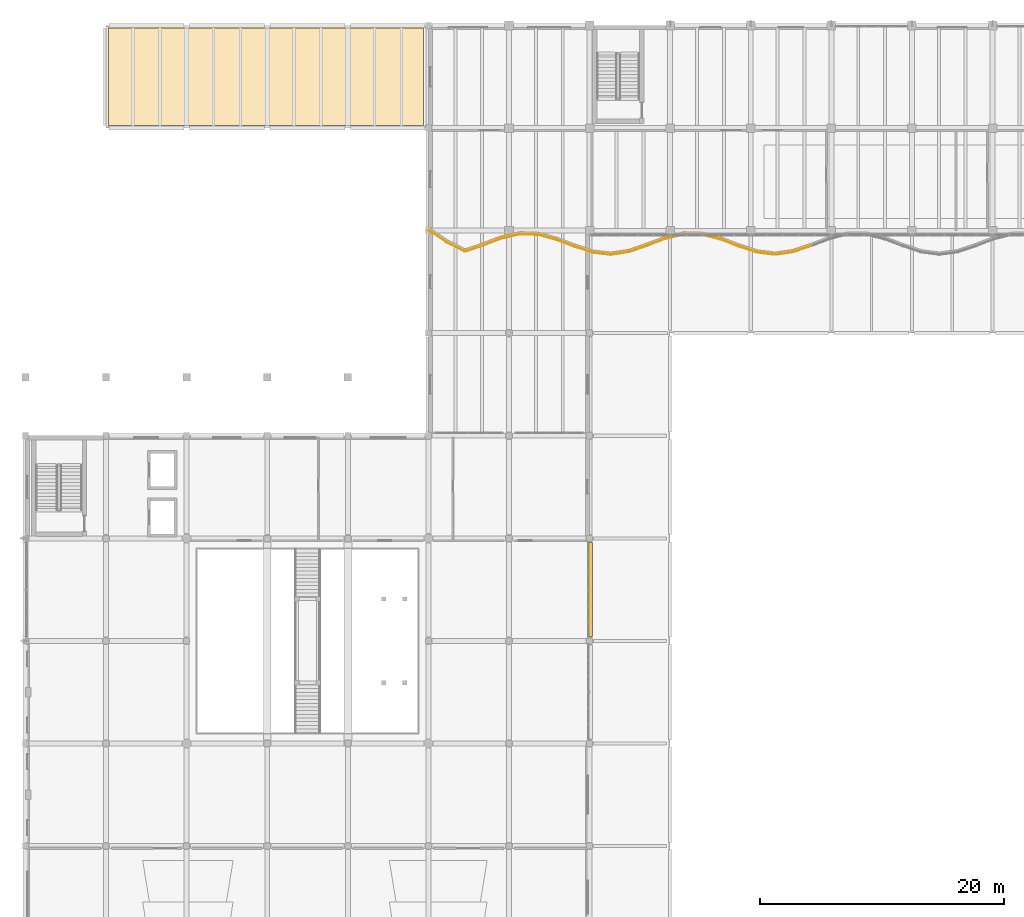
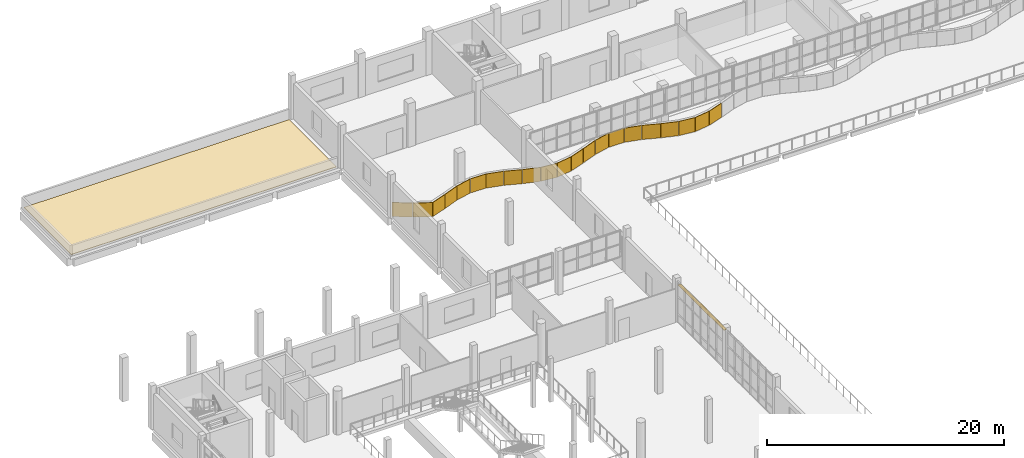
# One storey, part 74 of 83: 22 coverings, 1 shading device.
"""IFC4 building model written with IfcOpenShell, lengths in metres."""

from ifc_helpers import new_model, si_unit, direction, frame, origin, origin_2d, place, context, subcontext, project, spatial, polyline, rectangle, outline, extrude, material, layer, layer_set, type_object, element, save


model = new_model("IFC4")

# Units and contexts
model_context = context("Model", 3, precision=1e-05, world=origin(), true_north=direction((0.0, 1.0)))
body_context = subcontext(model_context, "Body", "Model", "MODEL_VIEW")
ifc_project = project(units=[si_unit("LENGTHUNIT", "METRE"), si_unit("AREAUNIT", "SQUARE_METRE"), si_unit("VOLUMEUNIT", "CUBIC_METRE"), si_unit("PLANEANGLEUNIT", "RADIAN"), si_unit("MASSUNIT", "GRAM", prefix="KILO")], contexts=[model_context])

# Site, building, storey
site_placement = place(None, origin())
site = spatial("IfcSite", under=ifc_project, at=site_placement, CompositionType="ELEMENT")
building_placement = place(site_placement, origin())
building = spatial("IfcBuilding", under=site, at=building_placement, Name="Qaldarim Faculty of Natural and Applied Sciences", CompositionType="ELEMENT")
storey_placement = place(building_placement, frame((0.0, 0.0, 5.39990234375)))
storey = spatial("IfcBuildingStorey", under=building, at=storey_placement, Name="L01", CompositionType="ELEMENT", Elevation=5.39990234375)

# Coverings
ifc_material_1 = material(Name="White architectural precast concrete C40/50", Category="concrete")
ifc_layer_1 = layer(ifc_material_1, 0.06005859375)
ifc_layer_set_1 = layer_set([ifc_layer_1], Name="White architectural precast concrete C40/50")
covering_type_1 = type_object("IfcCoveringType", Name="LimestoneSpandrelCladding-60", PredefinedType="CLADDING", material=ifc_layer_set_1)
covering_1_placement = place(storey_placement, frame((33.764892578125, 100.324951171875, 0.0), z_axis=(0.0, 0.0, 1.0), x_axis=(0.832476681109, -0.554060082852, 0.0)))
element("IfcCovering", 1, at=covering_1_placement, inside=storey, type_object=covering_type_1, Name="White limestone wave band fascia L01 chord 01", PredefinedType="CLADDING", context=body_context, shape_type="SweptSolid", body=[
    extrude(rectangle(XDim=1.7548828125, YDim=0.06005859375, at=origin_2d()), origin(), (0.0, 0.0, 1.0), 1.449951171875),
])
covering_2_placement = place(storey_placement, frame((35.260009765625, 99.449951171875, 0.0), z_axis=(0.0, 0.0, 1.0), x_axis=(0.891426095261, -0.453166102756, 0.0)))
element("IfcCovering", 2, at=covering_2_placement, inside=storey, type_object=covering_type_1, Name="White limestone wave band fascia L01 chord 02", PredefinedType="CLADDING", context=body_context, shape_type="SweptSolid", body=[
    extrude(rectangle(XDim=1.635009765625, YDim=0.06005859375, at=origin_2d()), origin(), (0.0, 0.0, 1.0), 1.449951171875),
])
covering_3_placement = place(storey_placement, frame((36.72998046875, 99.330078125, 0.0), z_axis=(0.0, 0.0, 1.0), x_axis=(0.945473108493, 0.325700170581, 0.0)))
element("IfcCovering", 3, at=covering_3_placement, inside=storey, type_object=covering_type_1, Name="White limestone wave band fascia L01 chord 03", PredefinedType="CLADDING", context=body_context, shape_type="SweptSolid", body=[
    extrude(rectangle(XDim=1.5400390625, YDim=0.06005859375, at=origin_2d()), origin(), (0.0, 0.0, 1.0), 1.449951171875),
])
covering_4_placement = place(storey_placement, frame((38.219970703125, 99.8701171875, 0.0), z_axis=(0.0, 0.0, 1.0), x_axis=(0.935036236503, 0.354552163194, 0.0)))
element("IfcCovering", 4, at=covering_4_placement, inside=storey, type_object=covering_type_1, Name="White limestone wave band fascia L01 chord 04", PredefinedType="CLADDING", context=body_context, shape_type="SweptSolid", body=[
    extrude(rectangle(XDim=1.554931640625, YDim=0.06005859375, at=origin_2d()), origin(), (0.0, 0.0, 1.0), 1.449951171875),
])
covering_5_placement = place(storey_placement, frame((39.715087890625, 100.324951171875, 0.0), z_axis=(0.0, 0.0, 1.0), x_axis=(0.975099061446, 0.221769746285, 0.0)))
element("IfcCovering", 5, at=covering_5_placement, inside=storey, type_object=covering_type_1, Name="White limestone wave band fascia L01 chord 05", PredefinedType="CLADDING", context=body_context, shape_type="SweptSolid", body=[
    extrude(rectangle(XDim=1.4951171875, YDim=0.06005859375, at=origin_2d()), origin(), (0.0, 0.0, 1.0), 1.449951171875),
])
covering_6_placement = place(storey_placement, frame((41.219970703125, 100.47998046875, 0.0), z_axis=(0.0, 0.0, 1.0), x_axis=(0.999726118644, -0.023402728511, 0.0)))
element("IfcCovering", 6, at=covering_6_placement, inside=storey, type_object=covering_type_1, Name="White limestone wave band fascia L01 chord 06", PredefinedType="CLADDING", context=body_context, shape_type="SweptSolid", body=[
    extrude(rectangle(XDim=1.455078125, YDim=0.06005859375, at=origin_2d()), origin(), (0.0, 0.0, 1.0), 1.449951171875),
])
covering_7_placement = place(storey_placement, frame((42.719970703125, 100.260009765625, 0.0), z_axis=(0.0, 0.0, 1.0), x_axis=(0.966020623542, -0.25846499742, 0.0)))
element("IfcCovering", 7, at=covering_7_placement, inside=storey, type_object=covering_type_1, Name="White limestone wave band fascia L01 chord 07", PredefinedType="CLADDING", context=body_context, shape_type="SweptSolid", body=[
    extrude(rectangle(XDim=1.510009765625, YDim=0.06005859375, at=origin_2d()), origin(), (0.0, 0.0, 1.0), 1.449951171875),
])
covering_8_placement = place(storey_placement, frame((44.219970703125, 99.77001953125, 0.0), z_axis=(0.0, 0.0, 1.0), x_axis=(0.933342542564, -0.358987044669, 0.0)))
element("IfcCovering", 8, at=covering_8_placement, inside=storey, type_object=covering_type_1, Name="White limestone wave band fascia L01 chord 08", PredefinedType="CLADDING", context=body_context, shape_type="SweptSolid", body=[
    extrude(rectangle(XDim=1.56005859375, YDim=0.06005859375, at=origin_2d()), origin(), (0.0, 0.0, 1.0), 1.449951171875),
])
covering_9_placement = place(storey_placement, frame((45.715087890625, 99.2451171875, 0.0), z_axis=(0.0, 0.0, 1.0), x_axis=(0.951196645833, -0.308585386816, 0.0)))
element("IfcCovering", 9, at=covering_9_placement, inside=storey, type_object=covering_type_1, Name="White limestone wave band fascia L01 chord 09", PredefinedType="CLADDING", context=body_context, shape_type="SweptSolid", body=[
    extrude(rectangle(XDim=1.530029296875, YDim=0.06005859375, at=origin_2d()), origin(), (0.0, 0.0, 1.0), 1.449951171875),
])
covering_10_placement = place(storey_placement, frame((47.199951171875, 98.9150390625, 0.0), z_axis=(0.0, 0.0, 1.0), x_axis=(0.993597515096, -0.112977776553, 0.0)))
element("IfcCovering", 10, at=covering_10_placement, inside=storey, type_object=covering_type_1, Name="White limestone wave band fascia L01 chord 10", PredefinedType="CLADDING", context=body_context, shape_type="SweptSolid", body=[
    extrude(rectangle(XDim=1.465087890625, YDim=0.06005859375, at=origin_2d()), origin(), (0.0, 0.0, 1.0), 1.449951171875),
])
covering_11_placement = place(storey_placement, frame((48.68994140625, 98.945068359375, 0.0), z_axis=(0.0, 0.0, 1.0), x_axis=(0.988863133133, 0.14882776599, 0.0)))
element("IfcCovering", 11, at=covering_11_placement, inside=storey, type_object=covering_type_1, Name="White limestone wave band fascia L01 chord 11", PredefinedType="CLADDING", context=body_context, shape_type="SweptSolid", body=[
    extrude(rectangle(XDim=1.469970703125, YDim=0.06005859375, at=origin_2d()), origin(), (0.0, 0.0, 1.0), 1.449951171875),
])
covering_12_placement = place(storey_placement, frame((50.175048828125, 99.31005859375, 0.0), z_axis=(0.0, 0.0, 1.0), x_axis=(0.945137219394, 0.326673593233, 0.0)))
element("IfcCovering", 12, at=covering_12_placement, inside=storey, type_object=covering_type_1, Name="White limestone wave band fascia L01 chord 12", PredefinedType="CLADDING", context=body_context, shape_type="SweptSolid", body=[
    extrude(rectangle(XDim=1.534912109375, YDim=0.06005859375, at=origin_2d()), origin(), (0.0, 0.0, 1.0), 1.449951171875),
])
covering_13_placement = place(storey_placement, frame((51.6650390625, 99.85009765625, 0.0), z_axis=(0.0, 0.0, 1.0), x_axis=(0.935425521648, 0.35352382303, 0.0)))
element("IfcCovering", 13, at=covering_13_placement, inside=storey, type_object=covering_type_1, Name="White limestone wave band fascia L01 chord 13", PredefinedType="CLADDING", context=body_context, shape_type="SweptSolid", body=[
    extrude(rectangle(XDim=1.56005859375, YDim=0.06005859375, at=origin_2d()), origin(), (0.0, 0.0, 1.0), 1.449951171875),
])
covering_14_placement = place(storey_placement, frame((53.169921875, 100.31005859375, 0.0), z_axis=(0.0, 0.0, 1.0), x_axis=(0.972945496922, 0.231034759331, 0.0)))
element("IfcCovering", 14, at=covering_14_placement, inside=storey, type_object=covering_type_1, Name="White limestone wave band fascia L01 chord 14", PredefinedType="CLADDING", context=body_context, shape_type="SweptSolid", body=[
    extrude(rectangle(XDim=1.4951171875, YDim=0.06005859375, at=origin_2d()), origin(), (0.0, 0.0, 1.0), 1.449951171875),
])
covering_15_placement = place(storey_placement, frame((54.6650390625, 100.47998046875, 0.0), z_axis=(0.0, 0.0, 1.0), x_axis=(0.999860219806, -0.016719475173, 0.0)))
element("IfcCovering", 15, at=covering_15_placement, inside=storey, type_object=covering_type_1, Name="White limestone wave band fascia L01 chord 15", PredefinedType="CLADDING", context=body_context, shape_type="SweptSolid", body=[
    extrude(rectangle(XDim=1.455078125, YDim=0.06005859375, at=origin_2d()), origin(), (0.0, 0.0, 1.0), 1.449951171875),
])
covering_16_placement = place(storey_placement, frame((56.169921875, 100.27001953125, 0.0), z_axis=(0.0, 0.0, 1.0), x_axis=(0.968404954405, -0.249382927008, 0.0)))
element("IfcCovering", 16, at=covering_16_placement, inside=storey, type_object=covering_type_1, Name="White limestone wave band fascia L01 chord 16", PredefinedType="CLADDING", context=body_context, shape_type="SweptSolid", body=[
    extrude(rectangle(XDim=1.5048828125, YDim=0.06005859375, at=origin_2d()), origin(), (0.0, 0.0, 1.0), 1.449951171875),
])
covering_17_placement = place(storey_placement, frame((57.669921875, 99.7900390625, 0.0), z_axis=(0.0, 0.0, 1.0), x_axis=(0.933342542564, -0.358987044669, 0.0)))
element("IfcCovering", 17, at=covering_17_placement, inside=storey, type_object=covering_type_1, Name="White limestone wave band fascia L01 chord 17", PredefinedType="CLADDING", context=body_context, shape_type="SweptSolid", body=[
    extrude(rectangle(XDim=1.56005859375, YDim=0.06005859375, at=origin_2d()), origin(), (0.0, 0.0, 1.0), 1.449951171875),
])
covering_18_placement = place(storey_placement, frame((59.1650390625, 99.260009765625, 0.0), z_axis=(0.0, 0.0, 1.0), x_axis=(0.950260562505, -0.311456037584, 0.0)))
element("IfcCovering", 18, at=covering_18_placement, inside=storey, type_object=covering_type_1, Name="White limestone wave band fascia L01 chord 18", PredefinedType="CLADDING", context=body_context, shape_type="SweptSolid", body=[
    extrude(rectangle(XDim=1.534912109375, YDim=0.06005859375, at=origin_2d()), origin(), (0.0, 0.0, 1.0), 1.449951171875),
])
covering_19_placement = place(storey_placement, frame((60.64501953125, 98.925048828125, 0.0), z_axis=(0.0, 0.0, 1.0), x_axis=(0.992379324292, -0.123220439527, 0.0)))
element("IfcCovering", 19, at=covering_19_placement, inside=storey, type_object=covering_type_1, Name="White limestone wave band fascia L01 chord 19", PredefinedType="CLADDING", context=body_context, shape_type="SweptSolid", body=[
    extrude(rectangle(XDim=1.4599609375, YDim=0.06005859375, at=origin_2d()), origin(), (0.0, 0.0, 1.0), 1.449951171875),
])
covering_20_placement = place(storey_placement, frame((62.135009765625, 98.93994140625, 0.0), z_axis=(0.0, 0.0, 1.0), x_axis=(0.989816021827, 0.142352530482, 0.0)))
element("IfcCovering", 20, at=covering_20_placement, inside=storey, type_object=covering_type_1, Name="White limestone wave band fascia L01 chord 20", PredefinedType="CLADDING", context=body_context, shape_type="SweptSolid", body=[
    extrude(rectangle(XDim=1.469970703125, YDim=0.06005859375, at=origin_2d()), origin(), (0.0, 0.0, 1.0), 1.449951171875),
])
covering_21_placement = place(storey_placement, frame((63.625, 99.300048828125, 0.0), z_axis=(0.0, 0.0, 1.0), x_axis=(0.947405952336, 0.32003431297, 0.0)))
element("IfcCovering", 21, at=covering_21_placement, inside=storey, type_object=covering_type_1, Name="White limestone wave band fascia L01 chord 21", PredefinedType="CLADDING", context=body_context, shape_type="SweptSolid", body=[
    extrude(rectangle(XDim=1.5400390625, YDim=0.06005859375, at=origin_2d()), origin(), (0.0, 0.0, 1.0), 1.449951171875),
])
ifc_material_2 = material(Name="Elastomeric bitumen roofing membrane")
ifc_layer_2 = layer(ifc_material_2, 0.050048828125)
ifc_layer_set_2 = layer_set([ifc_layer_2], Name="Elastomeric bitumen roofing membrane")
covering_type_2 = type_object("IfcCoveringType", Name="MembraneRoofing-50", PredefinedType="ROOFING", material=ifc_layer_set_2)
covering_22_placement = place(storey_placement, origin())
element("IfcCovering", 22, at=covering_22_placement, inside=storey, type_object=covering_type_2, Name="Elastomeric roof waterproofing membrane NW annex L01", PredefinedType="ROOFING", context=body_context, shape_type="SweptSolid", body=[
    extrude(outline(polyline([(6.800048828125, 109.39990234375), (32.60009765625, 109.39990234375), (32.60009765625, 117.39990234375), (6.800048828125, 117.39990234375), (6.800048828125, 109.39990234375)])), origin(), (0.0, 0.0, 1.0), 0.050048828125),
])

# Shading device
ifc_material_3 = material(Name="Champagne anodised aluminium AW-6063", Category="aluminium")
ifc_layer_3 = layer(ifc_material_3, 0.050048828125)
ifc_layer_set_3 = layer_set([ifc_layer_3], Name="Champagne anodised aluminium AW-6063")
shading_device_type = type_object("IfcShadingDeviceType", Name="SolarLouvre-ALU300x50", PredefinedType="JALOUSIE", material=ifc_layer_set_3)
shading_device_placement = place(storey_placement, frame((46.27001953125, 71.39990234375, 3.8251953125), z_axis=(0.0, 0.0, 1.0), x_axis=(0.0, 1.0, 0.0)))
element("IfcShadingDevice", 23, at=shading_device_placement, inside=storey, type_object=shading_device_type, Name="Horizontal solar louvre L01 E X07Y09", PredefinedType="JALOUSIE", context=body_context, shape_type="SweptSolid", body=[
    extrude(rectangle(XDim=7.7099609375, YDim=0.300048828125, at=origin_2d()), origin(), (0.0, 0.0, 1.0), 0.050048828125),
])

save(model, "model.ifc")
